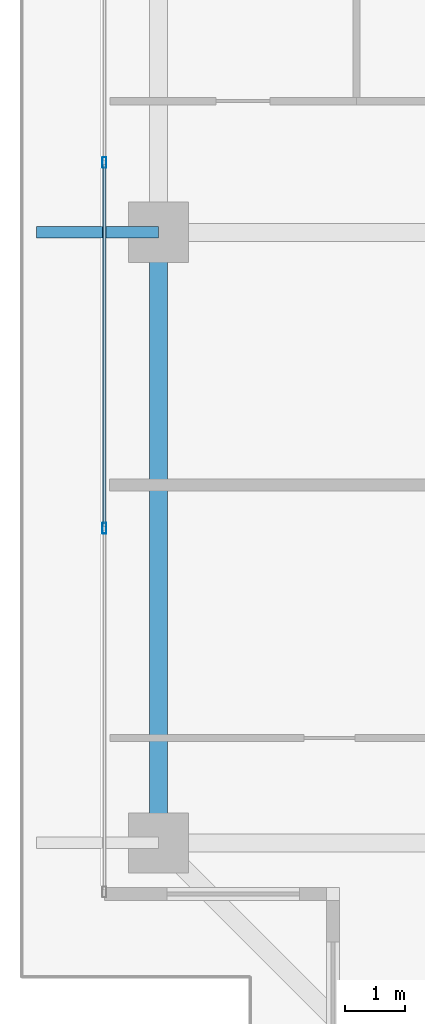
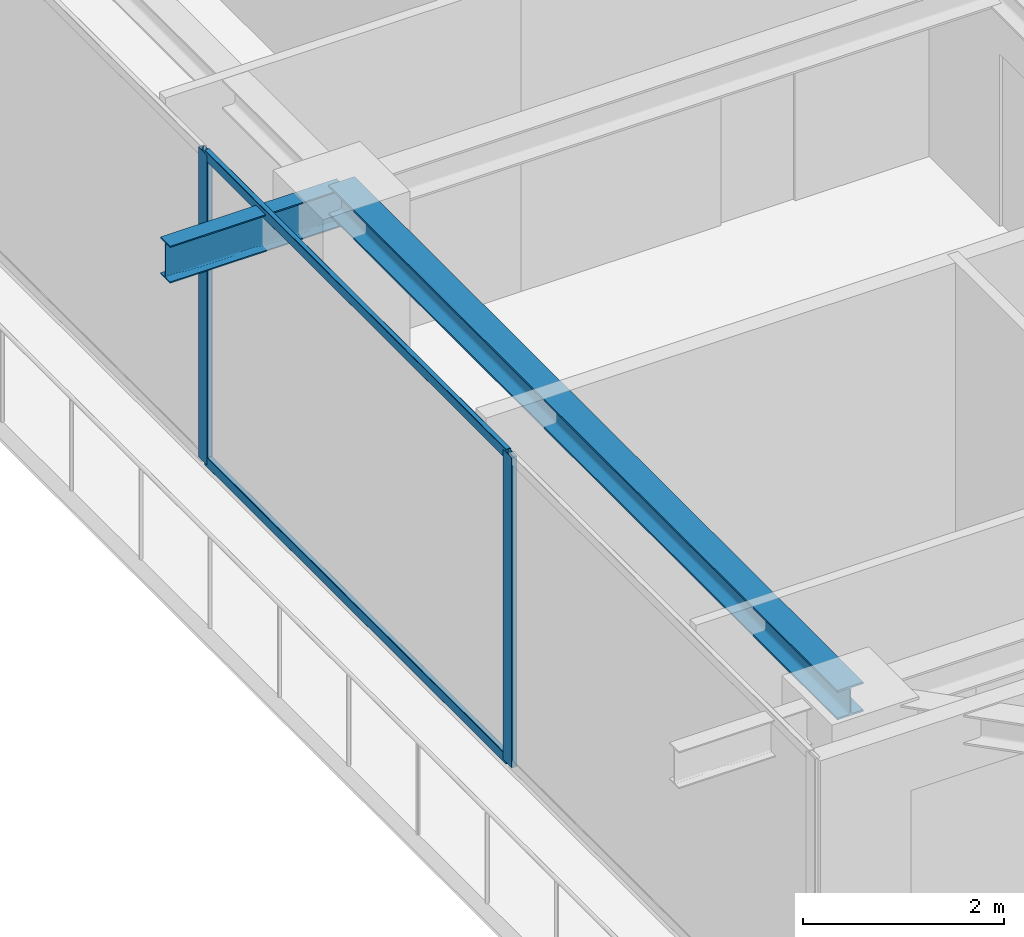
# One storey, part 8 of 42: 4 members, 2 beams, 1 element without a shape of its own.
"""IFC4 building model written with IfcOpenShell, lengths in metres."""

from ifc_helpers import new_model, si_unit, direction, frame, origin, origin_2d, place, context, subcontext, project, spatial, hollow_rectangle, i_section, extrude, source, transform, mapped, material, layer, layer_set, material_profile, profile_set, type_object, element, aggregate, save


model = new_model("IFC4")

# Units and contexts
model_context = context("Model", 3, precision=1e-05, world=origin(), true_north=direction((0.0, 1.0)))
body_context = subcontext(model_context, "Body", "Model", "MODEL_VIEW")
ifc_project = project(units=[si_unit("LENGTHUNIT", "METRE"), si_unit("AREAUNIT", "SQUARE_METRE"), si_unit("VOLUMEUNIT", "CUBIC_METRE"), si_unit("PLANEANGLEUNIT", "RADIAN"), si_unit("MASSUNIT", "GRAM", prefix="KILO")], contexts=[model_context])

# Site, building, storey
site_placement = place(None, origin())
site = spatial("IfcSite", under=ifc_project, at=site_placement, CompositionType="ELEMENT")
building_placement = place(site_placement, origin())
building = spatial("IfcBuilding", under=site, at=building_placement, Name="Serunith Strait Residences", CompositionType="ELEMENT")
storey_placement = place(building_placement, frame((0.0, 0.0, 309.64990234375)))
storey = spatial("IfcBuildingStorey", under=building, at=storey_placement, Name="L77", CompositionType="ELEMENT", Elevation=309.64990234375)

# Beams
ifc_material_1 = material(Name="Steel S355J2", Category="steel")
ifc_material_profile_1 = material_profile(ifc_material_1, i_section(OverallWidth=0.300048828125, OverallDepth=0.360107421875, WebThickness=0.012451171875, FlangeThickness=0.0224609375, FilletRadius=0.027099609375, at=origin_2d()), Name="HEB 360")
ifc_profile_set_1 = profile_set([ifc_material_profile_1], Name="Steel S355J2")
beam_type_1 = type_object("IfcBeamType", Name="BM-HEB360", PredefinedType="BEAM", material=ifc_profile_set_1)
shared_shape_1 = source(origin(), body_context, "Body", "SweptSolid", [
    extrude(i_section(OverallWidth=0.300048828125, OverallDepth=0.360107421875, WebThickness=0.012451171875, FlangeThickness=0.0224609375, FilletRadius=0.027099609375, at=origin_2d()), origin(), (0.0, 0.0, 1.0), 10.14990234375),
])
beam_1_placement = place(storey_placement, frame((10.10009765625, 21.0, 3.607177734375), z_axis=(0.0, -1.0, 0.0), x_axis=(1.0, 0.0, 0.0)))
element("IfcBeam", 1, at=beam_1_placement, inside=storey, type_object=beam_type_1, Name="L77 Perimeter Ring Beam 15", PredefinedType="BEAM", context=body_context, shape_type="MappedRepresentation", body=[
    mapped(shared_shape_1, transform((0.0, 0.0, 0.0), scale=1.0)),
])
ifc_material_profile_2 = material_profile(ifc_material_1, i_section(OverallWidth=0.18994140625, OverallDepth=0.449951171875, WebThickness=0.009521484375, FlangeThickness=0.0146484375, FilletRadius=0.02099609375, at=origin_2d()), Name="IPE 450")
ifc_profile_set_2 = profile_set([ifc_material_profile_2], Name="Steel S355J2")
beam_type_2 = type_object("IfcBeamType", Name="BM-IPE450", PredefinedType="JOIST", material=ifc_profile_set_2)
shared_shape_2 = source(origin(), body_context, "Body", "SweptSolid", [
    extrude(i_section(OverallWidth=0.18994140625, OverallDepth=0.449951171875, WebThickness=0.009521484375, FlangeThickness=0.0146484375, FilletRadius=0.02099609375, at=origin_2d()), origin(), (0.0, 0.0, 1.0), 2.030029296875),
])
beam_2_placement = place(storey_placement, frame((10.10009765625, 21.0, 3.531982421875), z_axis=(-1.0, 0.0, 0.0), x_axis=(0.0, -1.0, 0.0)))
element("IfcBeam", 2, at=beam_2_placement, inside=storey, type_object=beam_type_2, Name="L78 Cantilevered Balcony Rib TC-W2", PredefinedType="JOIST", context=body_context, shape_type="MappedRepresentation", body=[
    mapped(shared_shape_2, transform((0.0, 0.0, 0.0), scale=1.0)),
])

# Curtain wall, members
ifc_material_2 = material(Name="Brushed Stainless-Silver Aluminium", Category="aluminium")
ifc_layer = layer(ifc_material_2, 0.199951171875, Name="Brushed Stainless-Silver Aluminium")
ifc_layer_set = layer_set([ifc_layer], Name="Brushed Stainless-Silver Aluminium")
curtain_wall_type = type_object("IfcCurtainWallType", Name="CW-SYS5", PredefinedType="NOTDEFINED", material=ifc_layer_set)
curtain_wall_placement = place(storey_placement, origin())
curtain_wall = element("IfcCurtainWall", 3, at=curtain_wall_placement, inside=storey, type_object=curtain_wall_type, Name="L77 W Unitised Fritted Curtain Wall", PredefinedType="NOTDEFINED")
ifc_material_profile_3 = material_profile(ifc_material_2, hollow_rectangle(XDim=0.06494140625, YDim=0.179931640625, WallThickness=0.00341796875, InnerFilletRadius=0.00537109375, OuterFilletRadius=0.0087890625, at=origin_2d()), Name="ALU 180x65x3.5")
ifc_profile_set_3 = profile_set([ifc_material_profile_3], Name="Brushed Stainless-Silver Aluminium")
member_type_1 = type_object("IfcMemberType", Name="CW-SYS5-MULL", PredefinedType="MULLION", material=ifc_profile_set_3)
shared_shape_3 = source(origin(), body_context, "Body", "SweptSolid", [
    extrude(hollow_rectangle(XDim=0.06494140625, YDim=0.179931640625, WallThickness=0.00341796875, InnerFilletRadius=0.00537109375, OuterFilletRadius=0.0087890625, at=origin_2d()), origin(), (0.0, 0.0, 1.0), 3.775146484375),
])
member_1_placement = place(storey_placement, frame((9.199951171875, 22.159912109375, 0.0), z_axis=(0.0, 0.0, 1.0), x_axis=(1.0, 0.0, 0.0)))
member_1 = element("IfcMember", 4, at=member_1_placement, type_object=member_type_1, Name="CW-5 mullion 4", PredefinedType="MULLION", context=body_context, shape_type="MappedRepresentation", body=[
    mapped(shared_shape_3, transform((0.0, 0.0, 0.0), scale=1.0)),
])
member_2_placement = place(storey_placement, frame((9.199951171875, 16.080078125, 0.0), z_axis=(0.0, 0.0, 1.0), x_axis=(1.0, 0.0, 0.0)))
member_2 = element("IfcMember", 5, at=member_2_placement, type_object=member_type_1, Name="CW-5 mullion 5", PredefinedType="MULLION", context=body_context, shape_type="MappedRepresentation", body=[
    mapped(shared_shape_3, transform((0.0, 0.0, 0.0), scale=1.0)),
])
ifc_material_profile_4 = material_profile(ifc_material_2, hollow_rectangle(XDim=0.06005859375, YDim=0.1201171875, WallThickness=0.00341796875, InnerFilletRadius=0.00537109375, OuterFilletRadius=0.0087890625, at=origin_2d()), Name="ALU 120x60x3.5")
ifc_profile_set_4 = profile_set([ifc_material_profile_4], Name="Brushed Stainless-Silver Aluminium")
member_type_2 = type_object("IfcMemberType", Name="CW-SYS5-TRAN", PredefinedType="USERDEFINED", material=ifc_profile_set_4)
shared_shape_4 = source(origin(), body_context, "Body", "SweptSolid", [
    extrude(hollow_rectangle(XDim=0.06005859375, YDim=0.1201171875, WallThickness=0.00341796875, InnerFilletRadius=0.00537109375, OuterFilletRadius=0.0087890625, at=origin_2d()), origin(), (0.0, 0.0, 1.0), 6.014892578125),
])
member_3_placement = place(storey_placement, frame((9.199951171875, 22.12744140625, 0.030029296875), z_axis=(0.0, -1.0, 0.0), x_axis=(1.0, 0.0, 0.0)))
member_3 = element("IfcMember", 6, at=member_3_placement, type_object=member_type_2, Name="CW-5 transom 4.1", ObjectType="TRANSOM", PredefinedType="USERDEFINED", context=body_context, shape_type="MappedRepresentation", body=[
    mapped(shared_shape_4, transform((0.0, 0.0, 0.0), scale=1.0)),
])
member_4_placement = place(storey_placement, frame((9.199951171875, 22.12744140625, 3.7451171875), z_axis=(0.0, -1.0, 0.0), x_axis=(1.0, 0.0, 0.0)))
member_4 = element("IfcMember", 7, at=member_4_placement, type_object=member_type_2, Name="CW-5 transom 4.2", ObjectType="TRANSOM", PredefinedType="USERDEFINED", context=body_context, shape_type="MappedRepresentation", body=[
    mapped(shared_shape_4, transform((0.0, 0.0, 0.0), scale=1.0)),
])
aggregate(curtain_wall, [member_1, member_2, member_3, member_4])

save(model, "model.ifc")
